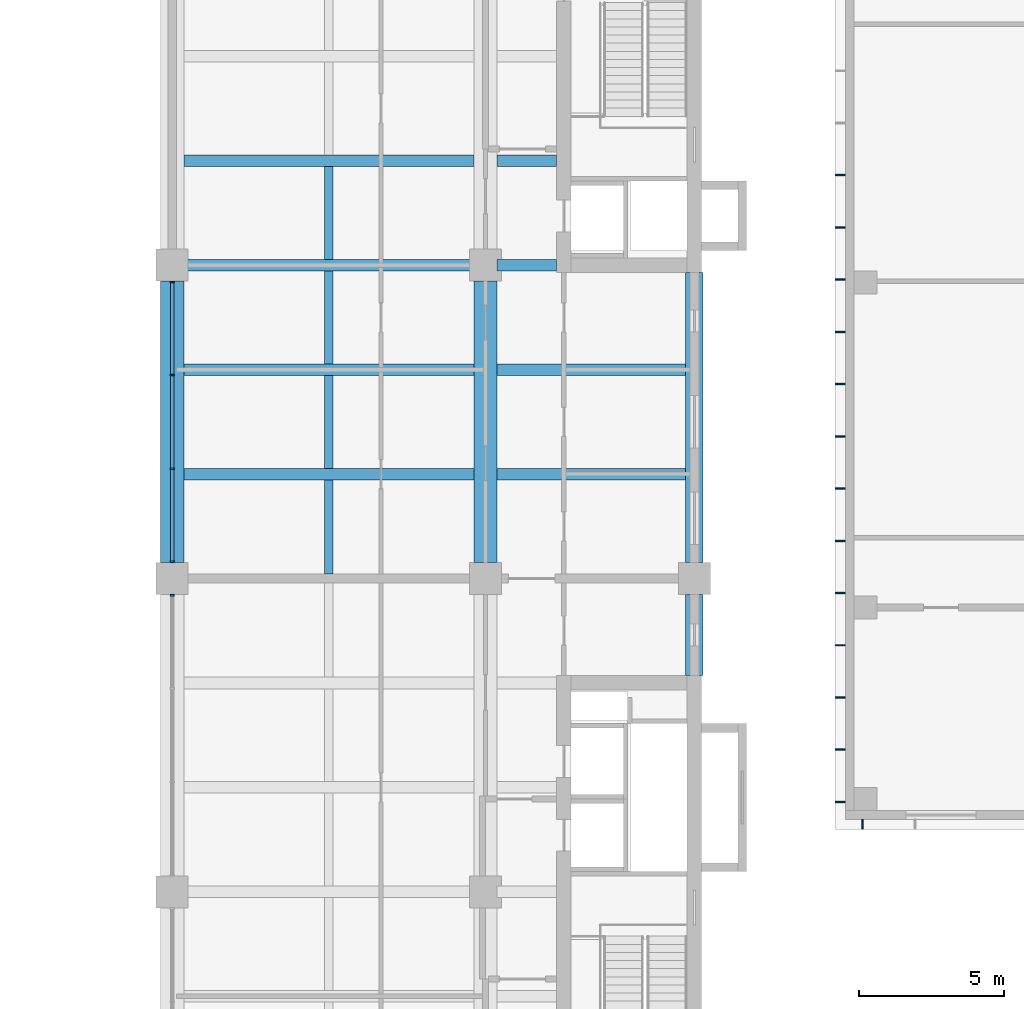
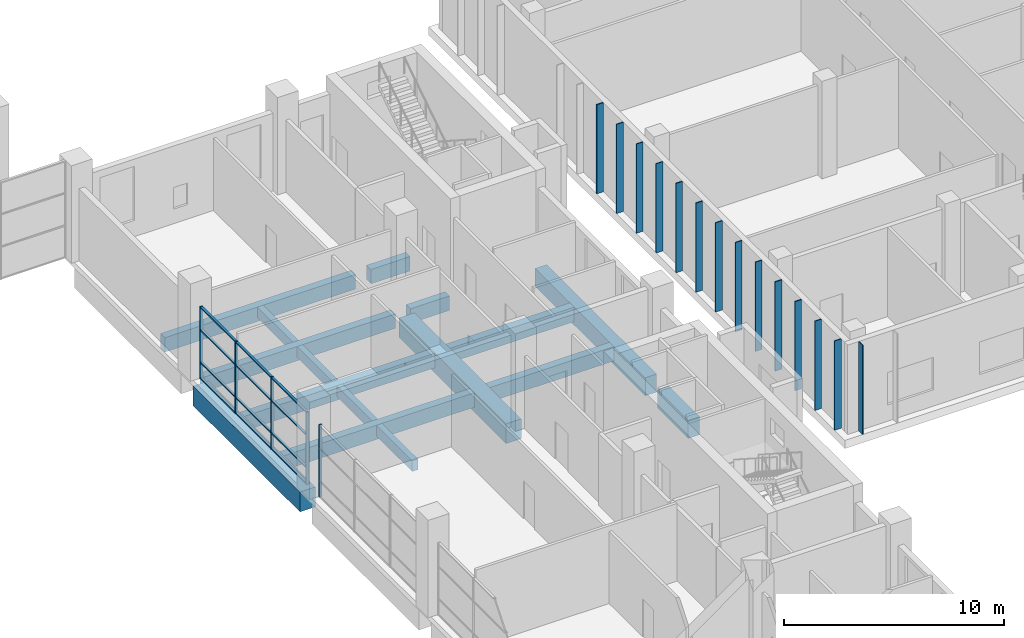
# One storey, part 8 of 32: 31 members, 16 beams, 2 elements without a shape of their own.
"""IFC4 building model written with IfcOpenShell, lengths in metres."""

from ifc_helpers import new_model, si_unit, direction, frame, origin, origin_2d, place, context, subcontext, project, spatial, rectangle, extrude, material, layer, layer_set, material_profile, profile_set, type_object, element, aggregate, save


model = new_model("IFC4")

# Units and contexts
model_context = context("Model", 3, precision=1e-05, world=origin(), true_north=direction((0.0, 1.0)))
body_context = subcontext(model_context, "Body", "Model", "MODEL_VIEW")
ifc_project = project(units=[si_unit("LENGTHUNIT", "METRE"), si_unit("AREAUNIT", "SQUARE_METRE"), si_unit("VOLUMEUNIT", "CUBIC_METRE"), si_unit("PLANEANGLEUNIT", "RADIAN"), si_unit("MASSUNIT", "GRAM", prefix="KILO")], contexts=[model_context])

# Site, building, storey
site_placement = place(None, origin())
site = spatial("IfcSite", under=ifc_project, at=site_placement, CompositionType="ELEMENT")
building_placement = place(site_placement, origin())
building = spatial("IfcBuilding", under=site, at=building_placement, Name="Basin Gate Institute", CompositionType="ELEMENT")
storey_placement = place(building_placement, frame((0.0, 0.0, 11.39990234375)))
storey = spatial("IfcBuildingStorey", under=building, at=storey_placement, Name="L02", CompositionType="ELEMENT", Elevation=11.39990234375)

# Beams
ifc_material_1 = material(Name="Concrete 40 MPa", Category="concrete")
ifc_material_profile_1 = material_profile(ifc_material_1, rectangle(XDim=0.39990234375, YDim=0.800048828125, at=origin_2d()), Name="Beam B2 400 x 800")
ifc_profile_set_1 = profile_set([ifc_material_profile_1], Name="Concrete 40 MPa")
beam_type_1 = type_object("IfcBeamType", Name="Beam B2 R180", PredefinedType="BEAM", material=ifc_profile_set_1)
beam_1_placement = place(storey_placement, frame((111.199951171875, 81.89990234375, -0.699951171875), z_axis=(-1.0, 0.0, 0.0), x_axis=(0.0, -1.0, 0.0)))
element("IfcBeam", 1, at=beam_1_placement, inside=storey, type_object=beam_type_1, material=ifc_profile_set_1, Name="BEAM/L02/E/EW/14", PredefinedType="BEAM", context=body_context, shape_type="SweptSolid", body=[
    extrude(rectangle(XDim=0.39990234375, YDim=0.800048828125, at=origin_2d()), origin(), (0.0, 0.0, 1.0), 10.0),
])
beam_2_placement = place(storey_placement, frame((118.5, 81.89990234375, -0.699951171875), z_axis=(-1.0, 0.0, 0.0), x_axis=(0.0, -1.0, 0.0)))
element("IfcBeam", 2, at=beam_2_placement, inside=storey, type_object=beam_type_1, material=ifc_profile_set_1, Name="BEAM/L02/E/OUT/14", PredefinedType="BEAM", context=body_context, shape_type="SweptSolid", body=[
    extrude(rectangle(XDim=0.39990234375, YDim=0.800048828125, at=origin_2d()), origin(), (0.0, 0.0, 1.0), 6.5),
])
beam_3_placement = place(storey_placement, frame((111.199951171875, 85.5, -0.699951171875), z_axis=(-1.0, 0.0, 0.0), x_axis=(0.0, -1.0, 0.0)))
element("IfcBeam", 3, at=beam_3_placement, inside=storey, type_object=beam_type_1, material=ifc_profile_set_1, Name="BEAM/L02/E/EW/15", PredefinedType="BEAM", context=body_context, shape_type="SweptSolid", body=[
    extrude(rectangle(XDim=0.39990234375, YDim=0.800048828125, at=origin_2d()), origin(), (0.0, 0.0, 1.0), 10.0),
])
beam_4_placement = place(storey_placement, frame((118.5, 85.5, -0.699951171875), z_axis=(-1.0, 0.0, 0.0), x_axis=(0.0, -1.0, 0.0)))
element("IfcBeam", 4, at=beam_4_placement, inside=storey, type_object=beam_type_1, material=ifc_profile_set_1, Name="BEAM/L02/E/OUT/15", PredefinedType="BEAM", context=body_context, shape_type="SweptSolid", body=[
    extrude(rectangle(XDim=0.39990234375, YDim=0.800048828125, at=origin_2d()), origin(), (0.0, 0.0, 1.0), 6.5),
])
beam_5_placement = place(storey_placement, frame((111.199951171875, 89.10009765625, -0.699951171875), z_axis=(-1.0, 0.0, 0.0), x_axis=(0.0, -1.0, 0.0)))
element("IfcBeam", 5, at=beam_5_placement, inside=storey, type_object=beam_type_1, material=ifc_profile_set_1, Name="BEAM/L02/E/EW/16", PredefinedType="BEAM", context=body_context, shape_type="SweptSolid", body=[
    extrude(rectangle(XDim=0.39990234375, YDim=0.800048828125, at=origin_2d()), origin(), (0.0, 0.0, 1.0), 10.0),
])
beam_6_placement = place(storey_placement, frame((114.050048828125, 89.10009765625, -0.699951171875), z_axis=(-1.0, 0.0, 0.0), x_axis=(0.0, -1.0, 0.0)))
element("IfcBeam", 6, at=beam_6_placement, inside=storey, type_object=beam_type_1, material=ifc_profile_set_1, Name="BEAM/L02/E/CORR/16", PredefinedType="BEAM", context=body_context, shape_type="SweptSolid", body=[
    extrude(rectangle(XDim=0.39990234375, YDim=0.800048828125, at=origin_2d()), origin(), (0.0, 0.0, 1.0), 2.050048828125),
])
beam_7_placement = place(storey_placement, frame((111.199951171875, 92.699951171875, -0.699951171875), z_axis=(-1.0, 0.0, 0.0), x_axis=(0.0, -1.0, 0.0)))
element("IfcBeam", 7, at=beam_7_placement, inside=storey, type_object=beam_type_1, material=ifc_profile_set_1, Name="BEAM/L02/E/EW/17", PredefinedType="BEAM", context=body_context, shape_type="SweptSolid", body=[
    extrude(rectangle(XDim=0.39990234375, YDim=0.800048828125, at=origin_2d()), origin(), (0.0, 0.0, 1.0), 10.0),
])
beam_8_placement = place(storey_placement, frame((114.050048828125, 92.699951171875, -0.699951171875), z_axis=(-1.0, 0.0, 0.0), x_axis=(0.0, -1.0, 0.0)))
element("IfcBeam", 8, at=beam_8_placement, inside=storey, type_object=beam_type_1, material=ifc_profile_set_1, Name="BEAM/L02/E/CORR/17", PredefinedType="BEAM", context=body_context, shape_type="SweptSolid", body=[
    extrude(rectangle(XDim=0.39990234375, YDim=0.800048828125, at=origin_2d()), origin(), (0.0, 0.0, 1.0), 2.050048828125),
])
ifc_material_2 = material(Name="Concrete 50 MPa", Category="concrete")
ifc_material_profile_2 = material_profile(ifc_material_2, rectangle(XDim=0.60009765625, YDim=1.0, at=origin_2d()), Name="Edge beam EB2 600 x 1000")
ifc_profile_set_2 = profile_set([ifc_material_profile_2], Name="Concrete 50 MPa")
beam_type_2 = type_object("IfcBeamType", Name="Edge beam EB2 R180", PredefinedType="SPANDREL", material=ifc_profile_set_2)
beam_9_placement = place(storey_placement, frame((118.800048828125, 78.85009765625, -0.7998046875), z_axis=(0.0, 1.0, 0.0), x_axis=(-1.0, 0.0, 0.0)))
element("IfcBeam", 9, at=beam_9_placement, inside=storey, type_object=beam_type_2, material=ifc_profile_set_2, Name="BEAM/L02/E/EDGE/4", PredefinedType="SPANDREL", context=body_context, shape_type="SweptSolid", body=[
    extrude(rectangle(XDim=0.60009765625, YDim=1.0, at=origin_2d()), origin(), (0.0, 0.0, 1.0), 10.0),
])
ifc_material_3 = material(Name="Concrete 50 MPa", Category="concrete")
ifc_material_profile_3 = material_profile(ifc_material_3, rectangle(XDim=0.60009765625, YDim=1.0, at=origin_2d()), Name="Edge return beam EB4 600 x 1000")
ifc_profile_set_3 = profile_set([ifc_material_profile_3], Name="Concrete 50 MPa")
beam_type_3 = type_object("IfcBeamType", Name="Edge return beam EB4 R180", PredefinedType="SPANDREL", material=ifc_profile_set_3)
beam_10_placement = place(storey_placement, frame((118.800048828125, 74.949951171875, -0.7998046875), z_axis=(0.0, 1.0, 0.0), x_axis=(-1.0, 0.0, 0.0)))
element("IfcBeam", 10, at=beam_10_placement, inside=storey, type_object=beam_type_3, material=ifc_profile_set_3, Name="BEAM/L02/E/EDGE/3", PredefinedType="SPANDREL", context=body_context, shape_type="SweptSolid", body=[
    extrude(rectangle(XDim=0.60009765625, YDim=1.0, at=origin_2d()), origin(), (0.0, 0.0, 1.0), 2.800048828125),
])
ifc_material_4 = material(Name="Concrete 50 MPa", Category="concrete")
ifc_material_profile_4 = material_profile(ifc_material_4, rectangle(XDim=0.800048828125, YDim=1.10009765625, at=origin_2d()), Name="Girder G2 800 x 1100")
ifc_profile_set_4 = profile_set([ifc_material_profile_4], Name="Concrete 50 MPa")
beam_type_4 = type_object("IfcBeamType", Name="Girder G2 R180", PredefinedType="BEAM", material=ifc_profile_set_4)
for number, where, z_axis, x_axis, name in (
    (11, (111.60009765625, 78.85009765625, -0.849853515625), (0.0, 1.0, 0.0), (-1.0, 0.0, 0.0), "GIR/L02/E8/5"),
    (12, (100.800048828125, 78.85009765625, -0.849853515625), (0.0, 1.0, 0.0), (-1.0, 0.0, 0.0), "GIR/L02/E7/5"),
):
    element("IfcBeam", number, at=place(storey_placement, frame(where, z_axis=z_axis, x_axis=x_axis)), inside=storey, type_object=beam_type_4, material=ifc_profile_set_4, Name=name, PredefinedType="BEAM", context=body_context, shape_type="SweptSolid", body=[
        extrude(rectangle(XDim=0.800048828125, YDim=1.10009765625, at=origin_2d()), origin(), (0.0, 0.0, 1.0), 9.699951171875),
    ])

# Members
ifc_material_5 = material(Name="Anodised aluminium", Category="aluminium")
ifc_material_profile_5 = material_profile(ifc_material_5, rectangle(XDim=0.050048828125, YDim=0.35009765625, at=origin_2d()), Name="Louvre fin CF1 50 x 350")
ifc_profile_set_5 = profile_set([ifc_material_profile_5], Name="Anodised aluminium")
member_type_1 = type_object("IfcMemberType", Name="Louvre fin CF1", PredefinedType="PLATE", material=ifc_profile_set_5)
for number, where, z_axis, x_axis, name in (
    (13, (124.60009765625, 69.824951171875, 0.0), (0.0, 0.0, 1.0), (1.0, 0.0, 0.0), "Louvre fin CF1 S1 L02"),
    (14, (123.824951171875, 70.60009765625, 0.0), (0.0, 0.0, 1.0), (0.0, 1.0, 0.0), "Louvre fin CF1 W1 L02"),
    (15, (123.824951171875, 72.39990234375, 0.0), (0.0, 0.0, 1.0), (0.0, 1.0, 0.0), "Louvre fin CF1 W2 L02"),
    (16, (123.824951171875, 74.199951171875, 0.0), (0.0, 0.0, 1.0), (0.0, 1.0, 0.0), "Louvre fin CF1 W3 L02"),
    (17, (123.824951171875, 76.0, 0.0), (0.0, 0.0, 1.0), (0.0, 1.0, 0.0), "Louvre fin CF1 W4 L02"),
    (18, (123.824951171875, 77.800048828125, 0.0), (0.0, 0.0, 1.0), (0.0, 1.0, 0.0), "Louvre fin CF1 W5 L02"),
    (19, (123.824951171875, 79.60009765625, 0.0), (0.0, 0.0, 1.0), (0.0, 1.0, 0.0), "Louvre fin CF1 W6 L02"),
    (20, (123.824951171875, 81.39990234375, 0.0), (0.0, 0.0, 1.0), (0.0, 1.0, 0.0), "Louvre fin CF1 W7 L02"),
    (21, (123.824951171875, 83.199951171875, 0.0), (0.0, 0.0, 1.0), (0.0, 1.0, 0.0), "Louvre fin CF1 W8 L02"),
    (22, (123.824951171875, 85.0, 0.0), (0.0, 0.0, 1.0), (0.0, 1.0, 0.0), "Louvre fin CF1 W9 L02"),
    (23, (123.824951171875, 86.800048828125, 0.0), (0.0, 0.0, 1.0), (0.0, 1.0, 0.0), "Louvre fin CF1 W10 L02"),
    (24, (123.824951171875, 88.60009765625, 0.0), (0.0, 0.0, 1.0), (0.0, 1.0, 0.0), "Louvre fin CF1 W11 L02"),
    (25, (123.824951171875, 90.39990234375, 0.0), (0.0, 0.0, 1.0), (0.0, 1.0, 0.0), "Louvre fin CF1 W12 L02"),
    (26, (123.824951171875, 92.199951171875, 0.0), (0.0, 0.0, 1.0), (0.0, 1.0, 0.0), "Louvre fin CF1 W13 L02"),
):
    element("IfcMember", number, at=place(storey_placement, frame(where, z_axis=z_axis, x_axis=x_axis)), inside=storey, type_object=member_type_1, material=ifc_profile_set_5, Name=name, PredefinedType="PLATE", context=body_context, shape_type="SweptSolid", body=[
        extrude(rectangle(XDim=0.050048828125, YDim=0.35009765625, at=origin_2d()), origin(), (0.0, 0.0, 1.0), 4.9501953125),
    ])

# Curtain wall, member
ifc_material_6 = material(Name="Fire-resistant glazing in steel-free frame", Category="steel")
ifc_layer = layer(ifc_material_6, 0.199951171875)
ifc_layer_set = layer_set([ifc_layer], Name="Fire-resistant glazing in steel-free frame")
curtain_wall_type = type_object("IfcCurtainWallType", Name="Atrium rated curtain wall CW3", PredefinedType="NOTDEFINED", material=ifc_layer_set)
curtain_wall_1_placement = place(storey_placement, origin())
curtain_wall_1 = element("IfcCurtainWall", 27, at=curtain_wall_1_placement, inside=storey, type_object=curtain_wall_type, material=ifc_layer_set, Name="Atrium rated curtain wall E wing atrium bay 4 L02", PredefinedType="NOTDEFINED")
ifc_material_7 = material(Name="Aluminium", Category="aluminium")
ifc_material_profile_6 = material_profile(ifc_material_7, rectangle(XDim=0.14990234375, YDim=0.06005859375, at=origin_2d()), Name="Mullion MU3 150 x 60")
ifc_profile_set_6 = profile_set([ifc_material_profile_6], Name="Aluminium")
member_type_2 = type_object("IfcMemberType", Name="Mullion MU3", PredefinedType="MULLION", material=ifc_profile_set_6)
member_1_placement = place(storey_placement, frame((100.800048828125, 77.719970703125, 0.0), z_axis=(0.0, 0.0, 1.0), x_axis=(-1.0, 0.0, 0.0)))
member_1 = element("IfcMember", 28, at=member_1_placement, type_object=member_type_2, material=ifc_profile_set_6, Name="CW3 mullion 4", PredefinedType="MULLION", context=body_context, shape_type="SweptSolid", body=[
    extrude(rectangle(XDim=0.14990234375, YDim=0.06005859375, at=origin_2d()), origin(), (0.0, 0.0, 1.0), 4.0),
])
aggregate(curtain_wall_1, [member_1])

# Curtain wall, members
curtain_wall_2_placement = place(storey_placement, origin())
curtain_wall_2 = element("IfcCurtainWall", 29, at=curtain_wall_2_placement, inside=storey, type_object=curtain_wall_type, material=ifc_layer_set, Name="Atrium rated curtain wall E wing atrium bay 5 L02", PredefinedType="NOTDEFINED")
member_2_placement = place(storey_placement, frame((100.800048828125, 78.8798828125, 0.0), z_axis=(0.0, 0.0, 1.0), x_axis=(-1.0, 0.0, 0.0)))
member_2 = element("IfcMember", 30, at=member_2_placement, type_object=member_type_2, material=ifc_profile_set_6, Name="CW3 mullion 1", PredefinedType="MULLION", context=body_context, shape_type="SweptSolid", body=[
    extrude(rectangle(XDim=0.14990234375, YDim=0.06005859375, at=origin_2d()), origin(), (0.0, 0.0, 1.0), 4.0),
])
member_3_placement = place(storey_placement, frame((100.800048828125, 82.083251953125, 0.0), z_axis=(0.0, 0.0, 1.0), x_axis=(-1.0, 0.0, 0.0)))
member_3 = element("IfcMember", 31, at=member_3_placement, type_object=member_type_2, material=ifc_profile_set_6, Name="CW3 mullion 2", PredefinedType="MULLION", context=body_context, shape_type="SweptSolid", body=[
    extrude(rectangle(XDim=0.14990234375, YDim=0.06005859375, at=origin_2d()), origin(), (0.0, 0.0, 1.0), 4.0),
])
member_4_placement = place(storey_placement, frame((100.800048828125, 85.316650390625, 0.0), z_axis=(0.0, 0.0, 1.0), x_axis=(-1.0, 0.0, 0.0)))
member_4 = element("IfcMember", 32, at=member_4_placement, type_object=member_type_2, material=ifc_profile_set_6, Name="CW3 mullion 3", PredefinedType="MULLION", context=body_context, shape_type="SweptSolid", body=[
    extrude(rectangle(XDim=0.14990234375, YDim=0.06005859375, at=origin_2d()), origin(), (0.0, 0.0, 1.0), 4.0),
])
member_5_placement = place(storey_placement, frame((100.800048828125, 88.52001953125, 0.0), z_axis=(0.0, 0.0, 1.0), x_axis=(-1.0, 0.0, 0.0)))
member_5 = element("IfcMember", 33, at=member_5_placement, type_object=member_type_2, material=ifc_profile_set_6, Name="CW3 mullion 4", PredefinedType="MULLION", context=body_context, shape_type="SweptSolid", body=[
    extrude(rectangle(XDim=0.14990234375, YDim=0.06005859375, at=origin_2d()), origin(), (0.0, 0.0, 1.0), 4.0),
])

# Beams
ifc_material_8 = material(Name="Concrete 40 MPa", Category="concrete")
ifc_material_profile_7 = material_profile(ifc_material_8, rectangle(XDim=0.300048828125, YDim=0.60009765625, at=origin_2d()), Name="Rib R2 300 x 600")
ifc_profile_set_7 = profile_set([ifc_material_profile_7], Name="Concrete 40 MPa")
beam_type_5 = type_object("IfcBeamType", Name="Rib R2 R180", PredefinedType="JOIST", material=ifc_profile_set_7)
beam_11_placement = place(storey_placement, frame((106.199951171875, 78.449951171875, -0.599853515625), z_axis=(0.0, 1.0, 0.0), x_axis=(-1.0, 0.0, 0.0)))
element("IfcBeam", 34, at=beam_11_placement, inside=storey, type_object=beam_type_5, material=ifc_profile_set_7, Name="BEAM/L02/E/RIB/13", PredefinedType="JOIST", context=body_context, shape_type="SweptSolid", body=[
    extrude(rectangle(XDim=0.300048828125, YDim=0.60009765625, at=origin_2d()), origin(), (0.0, 0.0, 1.0), 3.25),
])
for number, where, z_axis, x_axis, name in (
    (35, (106.199951171875, 82.10009765625, -0.599853515625), (0.0, 1.0, 0.0), (-1.0, 0.0, 0.0), "BEAM/L02/E/RIB/14"),
    (36, (106.199951171875, 85.699951171875, -0.599853515625), (0.0, 1.0, 0.0), (-1.0, 0.0, 0.0), "BEAM/L02/E/RIB/15"),
    (37, (106.199951171875, 89.300048828125, -0.599853515625), (0.0, 1.0, 0.0), (-1.0, 0.0, 0.0), "BEAM/L02/E/RIB/16"),
):
    element("IfcBeam", number, at=place(storey_placement, frame(where, z_axis=z_axis, x_axis=x_axis)), inside=storey, type_object=beam_type_5, material=ifc_profile_set_7, Name=name, PredefinedType="JOIST", context=body_context, shape_type="SweptSolid", body=[
        extrude(rectangle(XDim=0.300048828125, YDim=0.60009765625, at=origin_2d()), origin(), (0.0, 0.0, 1.0), 3.199951171875),
    ])

# Member
ifc_material_9 = material(Name="Aluminium", Category="aluminium")
ifc_material_profile_8 = material_profile(ifc_material_9, rectangle(XDim=0.1201171875, YDim=0.06005859375, at=origin_2d()), Name="Transom TR3 120 x 60")
ifc_profile_set_8 = profile_set([ifc_material_profile_8], Name="Aluminium")
member_type_3 = type_object("IfcMemberType", Name="Transom TR3", PredefinedType="USERDEFINED", material=ifc_profile_set_8)
member_6_placement = place(storey_placement, frame((100.800048828125, 78.909912109375, 0.030029296875), z_axis=(0.0, 1.0, 0.0), x_axis=(-1.0, 0.0, 0.0)))
member_6 = element("IfcMember", 38, at=member_6_placement, type_object=member_type_3, material=ifc_profile_set_8, Name="CW3 transom 1.1", ObjectType="TRANSOM", PredefinedType="USERDEFINED", context=body_context, shape_type="SweptSolid", body=[
    extrude(rectangle(XDim=0.1201171875, YDim=0.06005859375, at=origin_2d()), origin(), (0.0, 0.0, 1.0), 3.143310546875),
])

member_7_placement = place(storey_placement, frame((100.800048828125, 78.909912109375, 0.900146484375), z_axis=(0.0, 1.0, 0.0), x_axis=(-1.0, 0.0, 0.0)))
member_7 = element("IfcMember", 39, at=member_7_placement, type_object=member_type_3, material=ifc_profile_set_8, Name="CW3 transom 1.2", ObjectType="TRANSOM", PredefinedType="USERDEFINED", context=body_context, shape_type="SweptSolid", body=[
    extrude(rectangle(XDim=0.1201171875, YDim=0.06005859375, at=origin_2d()), origin(), (0.0, 0.0, 1.0), 3.143310546875),
])

member_8_placement = place(storey_placement, frame((100.800048828125, 78.909912109375, 2.7001953125), z_axis=(0.0, 1.0, 0.0), x_axis=(-1.0, 0.0, 0.0)))
member_8 = element("IfcMember", 40, at=member_8_placement, type_object=member_type_3, material=ifc_profile_set_8, Name="CW3 transom 1.3", ObjectType="TRANSOM", PredefinedType="USERDEFINED", context=body_context, shape_type="SweptSolid", body=[
    extrude(rectangle(XDim=0.1201171875, YDim=0.06005859375, at=origin_2d()), origin(), (0.0, 0.0, 1.0), 3.143310546875),
])

member_9_placement = place(storey_placement, frame((100.800048828125, 78.909912109375, 3.97021484375), z_axis=(0.0, 1.0, 0.0), x_axis=(-1.0, 0.0, 0.0)))
member_9 = element("IfcMember", 41, at=member_9_placement, type_object=member_type_3, material=ifc_profile_set_8, Name="CW3 transom 1.4", ObjectType="TRANSOM", PredefinedType="USERDEFINED", context=body_context, shape_type="SweptSolid", body=[
    extrude(rectangle(XDim=0.1201171875, YDim=0.06005859375, at=origin_2d()), origin(), (0.0, 0.0, 1.0), 3.143310546875),
])

member_10_placement = place(storey_placement, frame((100.800048828125, 82.11328125, 0.030029296875), z_axis=(0.0, 1.0, 0.0), x_axis=(-1.0, 0.0, 0.0)))
member_10 = element("IfcMember", 42, at=member_10_placement, type_object=member_type_3, material=ifc_profile_set_8, Name="CW3 transom 2.1", ObjectType="TRANSOM", PredefinedType="USERDEFINED", context=body_context, shape_type="SweptSolid", body=[
    extrude(rectangle(XDim=0.1201171875, YDim=0.06005859375, at=origin_2d()), origin(), (0.0, 0.0, 1.0), 3.17333984375),
])

member_11_placement = place(storey_placement, frame((100.800048828125, 82.11328125, 0.900146484375), z_axis=(0.0, 1.0, 0.0), x_axis=(-1.0, 0.0, 0.0)))
member_11 = element("IfcMember", 43, at=member_11_placement, type_object=member_type_3, material=ifc_profile_set_8, Name="CW3 transom 2.2", ObjectType="TRANSOM", PredefinedType="USERDEFINED", context=body_context, shape_type="SweptSolid", body=[
    extrude(rectangle(XDim=0.1201171875, YDim=0.06005859375, at=origin_2d()), origin(), (0.0, 0.0, 1.0), 3.17333984375),
])

member_12_placement = place(storey_placement, frame((100.800048828125, 82.11328125, 2.7001953125), z_axis=(0.0, 1.0, 0.0), x_axis=(-1.0, 0.0, 0.0)))
member_12 = element("IfcMember", 44, at=member_12_placement, type_object=member_type_3, material=ifc_profile_set_8, Name="CW3 transom 2.3", ObjectType="TRANSOM", PredefinedType="USERDEFINED", context=body_context, shape_type="SweptSolid", body=[
    extrude(rectangle(XDim=0.1201171875, YDim=0.06005859375, at=origin_2d()), origin(), (0.0, 0.0, 1.0), 3.17333984375),
])

member_13_placement = place(storey_placement, frame((100.800048828125, 82.11328125, 3.97021484375), z_axis=(0.0, 1.0, 0.0), x_axis=(-1.0, 0.0, 0.0)))
member_13 = element("IfcMember", 45, at=member_13_placement, type_object=member_type_3, material=ifc_profile_set_8, Name="CW3 transom 2.4", ObjectType="TRANSOM", PredefinedType="USERDEFINED", context=body_context, shape_type="SweptSolid", body=[
    extrude(rectangle(XDim=0.1201171875, YDim=0.06005859375, at=origin_2d()), origin(), (0.0, 0.0, 1.0), 3.17333984375),
])

member_14_placement = place(storey_placement, frame((100.800048828125, 85.3466796875, 0.030029296875), z_axis=(0.0, 1.0, 0.0), x_axis=(-1.0, 0.0, 0.0)))
member_14 = element("IfcMember", 46, at=member_14_placement, type_object=member_type_3, material=ifc_profile_set_8, Name="CW3 transom 3.1", ObjectType="TRANSOM", PredefinedType="USERDEFINED", context=body_context, shape_type="SweptSolid", body=[
    extrude(rectangle(XDim=0.1201171875, YDim=0.06005859375, at=origin_2d()), origin(), (0.0, 0.0, 1.0), 3.143310546875),
])

member_15_placement = place(storey_placement, frame((100.800048828125, 85.3466796875, 0.900146484375), z_axis=(0.0, 1.0, 0.0), x_axis=(-1.0, 0.0, 0.0)))
member_15 = element("IfcMember", 47, at=member_15_placement, type_object=member_type_3, material=ifc_profile_set_8, Name="CW3 transom 3.2", ObjectType="TRANSOM", PredefinedType="USERDEFINED", context=body_context, shape_type="SweptSolid", body=[
    extrude(rectangle(XDim=0.1201171875, YDim=0.06005859375, at=origin_2d()), origin(), (0.0, 0.0, 1.0), 3.143310546875),
])

member_16_placement = place(storey_placement, frame((100.800048828125, 85.3466796875, 2.7001953125), z_axis=(0.0, 1.0, 0.0), x_axis=(-1.0, 0.0, 0.0)))
member_16 = element("IfcMember", 48, at=member_16_placement, type_object=member_type_3, material=ifc_profile_set_8, Name="CW3 transom 3.3", ObjectType="TRANSOM", PredefinedType="USERDEFINED", context=body_context, shape_type="SweptSolid", body=[
    extrude(rectangle(XDim=0.1201171875, YDim=0.06005859375, at=origin_2d()), origin(), (0.0, 0.0, 1.0), 3.143310546875),
])

member_17_placement = place(storey_placement, frame((100.800048828125, 85.3466796875, 3.97021484375), z_axis=(0.0, 1.0, 0.0), x_axis=(-1.0, 0.0, 0.0)))
member_17 = element("IfcMember", 49, at=member_17_placement, type_object=member_type_3, material=ifc_profile_set_8, Name="CW3 transom 3.4", ObjectType="TRANSOM", PredefinedType="USERDEFINED", context=body_context, shape_type="SweptSolid", body=[
    extrude(rectangle(XDim=0.1201171875, YDim=0.06005859375, at=origin_2d()), origin(), (0.0, 0.0, 1.0), 3.143310546875),
])

aggregate(curtain_wall_2, [member_2, member_3, member_4, member_5, member_6, member_7, member_8, member_9, member_10, member_11, member_12, member_13, member_14, member_15, member_16, member_17])

save(model, "model.ifc")
